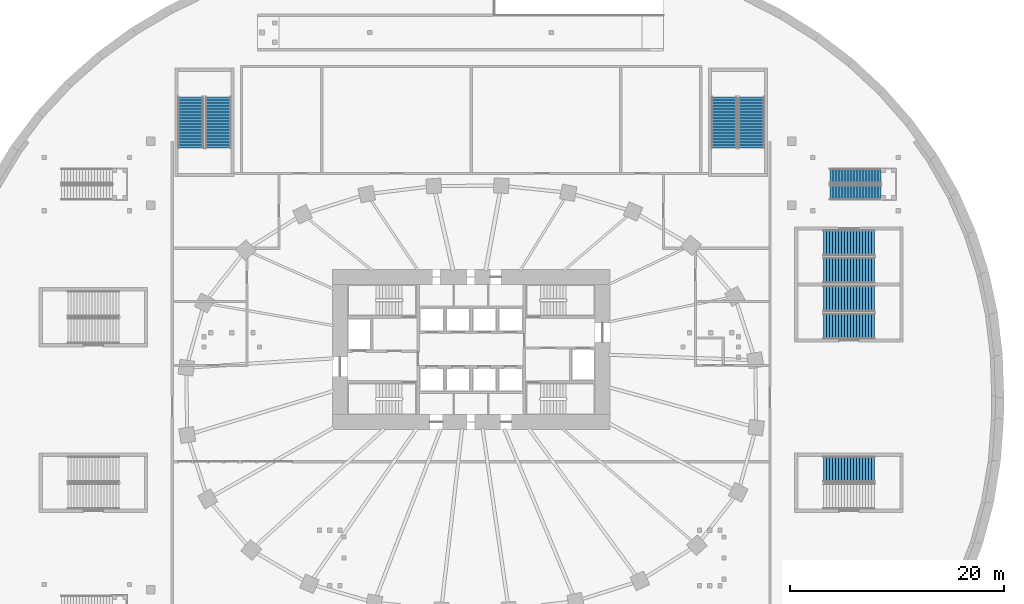
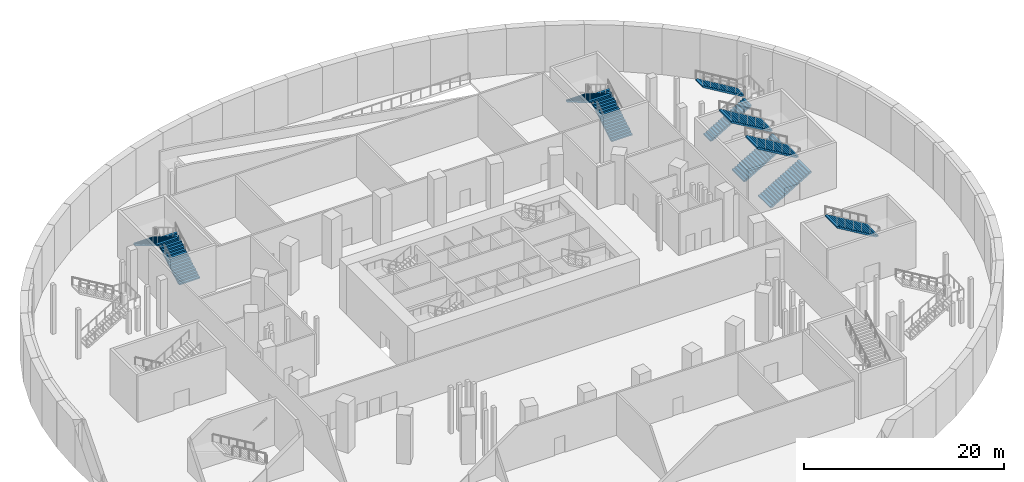
# One storey, part 11 of 19: 11 stair flights, 6 elements without a shape of their own.
"""IFC4 building model written with IfcOpenShell, lengths in metres."""

from ifc_helpers import new_model, si_unit, direction, frame, origin, place, context, subcontext, project, spatial, polyline, outline, extrude, material, type_object, element, aggregate, save


model = new_model("IFC4")

# Units and contexts
model_context = context("Model", 3, precision=1e-05, world=origin(), true_north=direction((0.0, 1.0)))
body_context = subcontext(model_context, "Body", "Model", "MODEL_VIEW")
ifc_project = project(units=[si_unit("LENGTHUNIT", "METRE"), si_unit("AREAUNIT", "SQUARE_METRE"), si_unit("VOLUMEUNIT", "CUBIC_METRE"), si_unit("PLANEANGLEUNIT", "RADIAN"), si_unit("MASSUNIT", "GRAM", prefix="KILO")], contexts=[model_context])

# Site, building, storey
site_placement = place(None, origin())
site = spatial("IfcSite", under=ifc_project, at=site_placement, CompositionType="ELEMENT")
building_placement = place(site_placement, origin())
building = spatial("IfcBuilding", under=site, at=building_placement, Name="Rubra Terraces Tower", CompositionType="ELEMENT")
storey_placement = place(building_placement, frame((0.0, 0.0, -6.0)))
storey = spatial("IfcBuildingStorey", under=building, at=storey_placement, Name="B1", CompositionType="ELEMENT", Elevation=-6.0)

# Stair, stair flights
ifc_material_1 = material(Name="Concrete C40/50", Category="concrete")
stair_type_1 = type_object("IfcStairType", Name="Exit stair", PredefinedType="HALF_TURN_STAIR", material=ifc_material_1)
stair_1_placement = place(storey_placement, origin())
stair_1 = element("IfcStair", 1, at=stair_1_placement, inside=storey, type_object=stair_type_1, Name="B1 exit stair SE1", PredefinedType="HALF_TURN_STAIR")
stair_flight_type_1 = type_object("IfcStairFlightType", Name="Exit stair flight 2400", PredefinedType="STRAIGHT", material=ifc_material_1)
stair_flight_1_placement = place(storey_placement, frame((33.0, 6.699951171875, 0.0), z_axis=(0.0, 0.0, 1.0), x_axis=(1.0, 0.0, 0.0)))
stair_flight_1 = element("IfcStairFlight", 2, at=stair_flight_1_placement, type_object=stair_flight_type_1, Name="SE1 flight 1", NumberOfRisers=18, NumberOfTreads=17, PredefinedType="STRAIGHT", RiserHeight=0.166666667, TreadLength=0.28, context=body_context, shape_type="SweptSolid", body=[
    extrude(outline(polyline([(0.0, 0.0), (0.0, 0.166748046875), (0.280029296875, 0.166748046875), (0.280029296875, 0.333251953125), (0.56005859375, 0.333251953125), (0.56005859375, 0.5), (0.840087890625, 0.5), (0.840087890625, 0.666748046875), (1.1201171875, 0.666748046875), (1.1201171875, 0.833251953125), (1.39990234375, 0.833251953125), (1.39990234375, 1.0), (1.679931640625, 1.0), (1.679931640625, 1.166748046875), (1.9599609375, 1.166748046875), (1.9599609375, 1.333251953125), (2.239990234375, 1.333251953125), (2.239990234375, 1.5), (2.52001953125, 1.5), (2.52001953125, 1.666748046875), (2.800048828125, 1.666748046875), (2.800048828125, 1.833251953125), (3.080078125, 1.833251953125), (3.080078125, 2.0), (3.360107421875, 2.0), (3.360107421875, 2.166748046875), (3.639892578125, 2.166748046875), (3.639892578125, 2.333251953125), (3.919921875, 2.333251953125), (3.919921875, 2.5), (4.199951171875, 2.5), (4.199951171875, 2.666748046875), (4.47998046875, 2.666748046875), (4.47998046875, 2.833251953125), (4.760009765625, 2.833251953125), (4.760009765625, 3.0), (4.760009765625, 2.658935546875), (0.29296875, 0.0), (0.0, 0.0)])), frame((0.0, 1.199951171875, 0.0), z_axis=(0.0, -1.0, 0.0), x_axis=(1.0, 0.0, 0.0)), (0.0, 0.0, 1.0), 2.39990234375),
])
stair_flight_2_placement = place(storey_placement, frame((37.760009765625, 9.25, 3.0), z_axis=(0.0, 0.0, 1.0), x_axis=(-1.0, 0.0, 0.0)))
stair_flight_2 = element("IfcStairFlight", 3, at=stair_flight_2_placement, type_object=stair_flight_type_1, Name="SE1 flight 2", NumberOfRisers=18, NumberOfTreads=17, PredefinedType="STRAIGHT", RiserHeight=0.166666667, TreadLength=0.28, context=body_context, shape_type="SweptSolid", body=[
    extrude(outline(polyline([(0.0, 0.0), (0.0, 0.166748046875), (0.280029296875, 0.166748046875), (0.280029296875, 0.333251953125), (0.56005859375, 0.333251953125), (0.56005859375, 0.5), (0.840087890625, 0.5), (0.840087890625, 0.666748046875), (1.1201171875, 0.666748046875), (1.1201171875, 0.833251953125), (1.39990234375, 0.833251953125), (1.39990234375, 1.0), (1.679931640625, 1.0), (1.679931640625, 1.166748046875), (1.9599609375, 1.166748046875), (1.9599609375, 1.333251953125), (2.239990234375, 1.333251953125), (2.239990234375, 1.5), (2.52001953125, 1.5), (2.52001953125, 1.666748046875), (2.800048828125, 1.666748046875), (2.800048828125, 1.833251953125), (3.080078125, 1.833251953125), (3.080078125, 2.0), (3.360107421875, 2.0), (3.360107421875, 2.166748046875), (3.639892578125, 2.166748046875), (3.639892578125, 2.333251953125), (3.919921875, 2.333251953125), (3.919921875, 2.5), (4.199951171875, 2.5), (4.199951171875, 2.666748046875), (4.47998046875, 2.666748046875), (4.47998046875, 2.833251953125), (4.760009765625, 2.833251953125), (4.760009765625, 3.0), (4.760009765625, 2.658935546875), (0.29296875, 0.0), (0.0, 0.0)])), frame((0.0, 1.199951171875, 0.0), z_axis=(0.0, -1.0, 0.0), x_axis=(1.0, 0.0, 0.0)), (0.0, 0.0, 1.0), 2.39990234375),
])
aggregate(stair_1, [stair_flight_1, stair_flight_2])

# Stair, stair flight
stair_2_placement = place(storey_placement, origin())
stair_2 = element("IfcStair", 4, at=stair_2_placement, inside=storey, type_object=stair_type_1, Name="B1 exit stair SE2", PredefinedType="HALF_TURN_STAIR")
stair_flight_3_placement = place(storey_placement, frame((37.760009765625, -6.699951171875, 3.0), z_axis=(0.0, 0.0, 1.0), x_axis=(-1.0, 0.0, 0.0)))
stair_flight_3 = element("IfcStairFlight", 5, at=stair_flight_3_placement, type_object=stair_flight_type_1, Name="SE2 flight 2", NumberOfRisers=18, NumberOfTreads=17, PredefinedType="STRAIGHT", RiserHeight=0.166666667, TreadLength=0.28, context=body_context, shape_type="SweptSolid", body=[
    extrude(outline(polyline([(0.0, 0.0), (0.0, 0.166748046875), (0.280029296875, 0.166748046875), (0.280029296875, 0.333251953125), (0.56005859375, 0.333251953125), (0.56005859375, 0.5), (0.840087890625, 0.5), (0.840087890625, 0.666748046875), (1.1201171875, 0.666748046875), (1.1201171875, 0.833251953125), (1.39990234375, 0.833251953125), (1.39990234375, 1.0), (1.679931640625, 1.0), (1.679931640625, 1.166748046875), (1.9599609375, 1.166748046875), (1.9599609375, 1.333251953125), (2.239990234375, 1.333251953125), (2.239990234375, 1.5), (2.52001953125, 1.5), (2.52001953125, 1.666748046875), (2.800048828125, 1.666748046875), (2.800048828125, 1.833251953125), (3.080078125, 1.833251953125), (3.080078125, 2.0), (3.360107421875, 2.0), (3.360107421875, 2.166748046875), (3.639892578125, 2.166748046875), (3.639892578125, 2.333251953125), (3.919921875, 2.333251953125), (3.919921875, 2.5), (4.199951171875, 2.5), (4.199951171875, 2.666748046875), (4.47998046875, 2.666748046875), (4.47998046875, 2.833251953125), (4.760009765625, 2.833251953125), (4.760009765625, 3.0), (4.760009765625, 2.658935546875), (0.29296875, 0.0), (0.0, 0.0)])), frame((0.0, 1.199951171875, 0.0), z_axis=(0.0, -1.0, 0.0), x_axis=(1.0, 0.0, 0.0)), (0.0, 0.0, 1.0), 2.39990234375),
])
aggregate(stair_2, [stair_flight_3])

# Stair, stair flights
stair_3_placement = place(storey_placement, origin())
stair_3 = element("IfcStair", 6, at=stair_3_placement, inside=storey, type_object=stair_type_1, Name="B1 exit stair SE5", PredefinedType="HALF_TURN_STAIR")
stair_flight_4_placement = place(storey_placement, frame((-23.699951171875, 23.39990234375, 0.0), z_axis=(0.0, 0.0, 1.0), x_axis=(0.0, 1.0, 0.0)))
stair_flight_4 = element("IfcStairFlight", 7, at=stair_flight_4_placement, type_object=stair_flight_type_1, Name="SE5 flight 1", NumberOfRisers=18, NumberOfTreads=17, PredefinedType="STRAIGHT", RiserHeight=0.166666667, TreadLength=0.28, context=body_context, shape_type="SweptSolid", body=[
    extrude(outline(polyline([(0.0, 0.0), (0.0, 0.166748046875), (0.280029296875, 0.166748046875), (0.280029296875, 0.333251953125), (0.56005859375, 0.333251953125), (0.56005859375, 0.5), (0.840087890625, 0.5), (0.840087890625, 0.666748046875), (1.1201171875, 0.666748046875), (1.1201171875, 0.833251953125), (1.39990234375, 0.833251953125), (1.39990234375, 1.0), (1.679931640625, 1.0), (1.679931640625, 1.166748046875), (1.9599609375, 1.166748046875), (1.9599609375, 1.333251953125), (2.239990234375, 1.333251953125), (2.239990234375, 1.5), (2.52001953125, 1.5), (2.52001953125, 1.666748046875), (2.800048828125, 1.666748046875), (2.800048828125, 1.833251953125), (3.080078125, 1.833251953125), (3.080078125, 2.0), (3.360107421875, 2.0), (3.360107421875, 2.166748046875), (3.639892578125, 2.166748046875), (3.639892578125, 2.333251953125), (3.919921875, 2.333251953125), (3.919921875, 2.5), (4.199951171875, 2.5), (4.199951171875, 2.666748046875), (4.47998046875, 2.666748046875), (4.47998046875, 2.833251953125), (4.760009765625, 2.833251953125), (4.760009765625, 3.0), (4.760009765625, 2.658935546875), (0.29296875, 0.0), (0.0, 0.0)])), frame((0.0, 1.199951171875, 0.0), z_axis=(0.0, -1.0, 0.0), x_axis=(1.0, 0.0, 0.0)), (0.0, 0.0, 1.0), 2.39990234375),
])
stair_flight_5_placement = place(storey_placement, frame((-26.25, 28.159912109375, 3.0), z_axis=(0.0, 0.0, 1.0), x_axis=(0.0, -1.0, 0.0)))
stair_flight_5 = element("IfcStairFlight", 8, at=stair_flight_5_placement, type_object=stair_flight_type_1, Name="SE5 flight 2", NumberOfRisers=18, NumberOfTreads=17, PredefinedType="STRAIGHT", RiserHeight=0.166666667, TreadLength=0.28, context=body_context, shape_type="SweptSolid", body=[
    extrude(outline(polyline([(0.0, 0.0), (0.0, 0.166748046875), (0.280029296875, 0.166748046875), (0.280029296875, 0.333251953125), (0.56005859375, 0.333251953125), (0.56005859375, 0.5), (0.840087890625, 0.5), (0.840087890625, 0.666748046875), (1.1201171875, 0.666748046875), (1.1201171875, 0.833251953125), (1.39990234375, 0.833251953125), (1.39990234375, 1.0), (1.679931640625, 1.0), (1.679931640625, 1.166748046875), (1.9599609375, 1.166748046875), (1.9599609375, 1.333251953125), (2.239990234375, 1.333251953125), (2.239990234375, 1.5), (2.52001953125, 1.5), (2.52001953125, 1.666748046875), (2.800048828125, 1.666748046875), (2.800048828125, 1.833251953125), (3.080078125, 1.833251953125), (3.080078125, 2.0), (3.360107421875, 2.0), (3.360107421875, 2.166748046875), (3.639892578125, 2.166748046875), (3.639892578125, 2.333251953125), (3.919921875, 2.333251953125), (3.919921875, 2.5), (4.199951171875, 2.5), (4.199951171875, 2.666748046875), (4.47998046875, 2.666748046875), (4.47998046875, 2.833251953125), (4.760009765625, 2.833251953125), (4.760009765625, 3.0), (4.760009765625, 2.658935546875), (0.29296875, 0.0), (0.0, 0.0)])), frame((0.0, 1.199951171875, 0.0), z_axis=(0.0, -1.0, 0.0), x_axis=(1.0, 0.0, 0.0)), (0.0, 0.0, 1.0), 2.39990234375),
])
aggregate(stair_3, [stair_flight_4, stair_flight_5])

stair_4_placement = place(storey_placement, origin())
stair_4 = element("IfcStair", 9, at=stair_4_placement, inside=storey, type_object=stair_type_1, Name="B1 exit stair SE6", PredefinedType="HALF_TURN_STAIR")
stair_flight_6_placement = place(storey_placement, frame((26.25, 23.39990234375, 0.0), z_axis=(0.0, 0.0, 1.0), x_axis=(0.0, 1.0, 0.0)))
stair_flight_6 = element("IfcStairFlight", 10, at=stair_flight_6_placement, type_object=stair_flight_type_1, Name="SE6 flight 1", NumberOfRisers=18, NumberOfTreads=17, PredefinedType="STRAIGHT", RiserHeight=0.166666667, TreadLength=0.28, context=body_context, shape_type="SweptSolid", body=[
    extrude(outline(polyline([(0.0, 0.0), (0.0, 0.166748046875), (0.280029296875, 0.166748046875), (0.280029296875, 0.333251953125), (0.56005859375, 0.333251953125), (0.56005859375, 0.5), (0.840087890625, 0.5), (0.840087890625, 0.666748046875), (1.1201171875, 0.666748046875), (1.1201171875, 0.833251953125), (1.39990234375, 0.833251953125), (1.39990234375, 1.0), (1.679931640625, 1.0), (1.679931640625, 1.166748046875), (1.9599609375, 1.166748046875), (1.9599609375, 1.333251953125), (2.239990234375, 1.333251953125), (2.239990234375, 1.5), (2.52001953125, 1.5), (2.52001953125, 1.666748046875), (2.800048828125, 1.666748046875), (2.800048828125, 1.833251953125), (3.080078125, 1.833251953125), (3.080078125, 2.0), (3.360107421875, 2.0), (3.360107421875, 2.166748046875), (3.639892578125, 2.166748046875), (3.639892578125, 2.333251953125), (3.919921875, 2.333251953125), (3.919921875, 2.5), (4.199951171875, 2.5), (4.199951171875, 2.666748046875), (4.47998046875, 2.666748046875), (4.47998046875, 2.833251953125), (4.760009765625, 2.833251953125), (4.760009765625, 3.0), (4.760009765625, 2.658935546875), (0.29296875, 0.0), (0.0, 0.0)])), frame((0.0, 1.199951171875, 0.0), z_axis=(0.0, -1.0, 0.0), x_axis=(1.0, 0.0, 0.0)), (0.0, 0.0, 1.0), 2.39990234375),
])
stair_flight_7_placement = place(storey_placement, frame((23.699951171875, 28.159912109375, 3.0), z_axis=(0.0, 0.0, 1.0), x_axis=(0.0, -1.0, 0.0)))
stair_flight_7 = element("IfcStairFlight", 11, at=stair_flight_7_placement, type_object=stair_flight_type_1, Name="SE6 flight 2", NumberOfRisers=18, NumberOfTreads=17, PredefinedType="STRAIGHT", RiserHeight=0.166666667, TreadLength=0.28, context=body_context, shape_type="SweptSolid", body=[
    extrude(outline(polyline([(0.0, 0.0), (0.0, 0.166748046875), (0.280029296875, 0.166748046875), (0.280029296875, 0.333251953125), (0.56005859375, 0.333251953125), (0.56005859375, 0.5), (0.840087890625, 0.5), (0.840087890625, 0.666748046875), (1.1201171875, 0.666748046875), (1.1201171875, 0.833251953125), (1.39990234375, 0.833251953125), (1.39990234375, 1.0), (1.679931640625, 1.0), (1.679931640625, 1.166748046875), (1.9599609375, 1.166748046875), (1.9599609375, 1.333251953125), (2.239990234375, 1.333251953125), (2.239990234375, 1.5), (2.52001953125, 1.5), (2.52001953125, 1.666748046875), (2.800048828125, 1.666748046875), (2.800048828125, 1.833251953125), (3.080078125, 1.833251953125), (3.080078125, 2.0), (3.360107421875, 2.0), (3.360107421875, 2.166748046875), (3.639892578125, 2.166748046875), (3.639892578125, 2.333251953125), (3.919921875, 2.333251953125), (3.919921875, 2.5), (4.199951171875, 2.5), (4.199951171875, 2.666748046875), (4.47998046875, 2.666748046875), (4.47998046875, 2.833251953125), (4.760009765625, 2.833251953125), (4.760009765625, 3.0), (4.760009765625, 2.658935546875), (0.29296875, 0.0), (0.0, 0.0)])), frame((0.0, 1.199951171875, 0.0), z_axis=(0.0, -1.0, 0.0), x_axis=(1.0, 0.0, 0.0)), (0.0, 0.0, 1.0), 2.39990234375),
])
aggregate(stair_4, [stair_flight_6, stair_flight_7])

stair_5_placement = place(storey_placement, origin())
stair_5 = element("IfcStair", 12, at=stair_5_placement, inside=storey, type_object=stair_type_1, Name="B1 exit stair SE9", PredefinedType="HALF_TURN_STAIR")
stair_flight_8_placement = place(storey_placement, frame((33.0, 11.949951171875, 0.0), z_axis=(0.0, 0.0, 1.0), x_axis=(1.0, 0.0, 0.0)))
stair_flight_8 = element("IfcStairFlight", 13, at=stair_flight_8_placement, type_object=stair_flight_type_1, Name="SE9 flight 1", NumberOfRisers=18, NumberOfTreads=17, PredefinedType="STRAIGHT", RiserHeight=0.166666667, TreadLength=0.28, context=body_context, shape_type="SweptSolid", body=[
    extrude(outline(polyline([(0.0, 0.0), (0.0, 0.166748046875), (0.280029296875, 0.166748046875), (0.280029296875, 0.333251953125), (0.56005859375, 0.333251953125), (0.56005859375, 0.5), (0.840087890625, 0.5), (0.840087890625, 0.666748046875), (1.1201171875, 0.666748046875), (1.1201171875, 0.833251953125), (1.39990234375, 0.833251953125), (1.39990234375, 1.0), (1.679931640625, 1.0), (1.679931640625, 1.166748046875), (1.9599609375, 1.166748046875), (1.9599609375, 1.333251953125), (2.239990234375, 1.333251953125), (2.239990234375, 1.5), (2.52001953125, 1.5), (2.52001953125, 1.666748046875), (2.800048828125, 1.666748046875), (2.800048828125, 1.833251953125), (3.080078125, 1.833251953125), (3.080078125, 2.0), (3.360107421875, 2.0), (3.360107421875, 2.166748046875), (3.639892578125, 2.166748046875), (3.639892578125, 2.333251953125), (3.919921875, 2.333251953125), (3.919921875, 2.5), (4.199951171875, 2.5), (4.199951171875, 2.666748046875), (4.47998046875, 2.666748046875), (4.47998046875, 2.833251953125), (4.760009765625, 2.833251953125), (4.760009765625, 3.0), (4.760009765625, 2.658935546875), (0.29296875, 0.0), (0.0, 0.0)])), frame((0.0, 1.199951171875, 0.0), z_axis=(0.0, -1.0, 0.0), x_axis=(1.0, 0.0, 0.0)), (0.0, 0.0, 1.0), 2.39990234375),
])
stair_flight_9_placement = place(storey_placement, frame((37.760009765625, 14.5, 3.0), z_axis=(0.0, 0.0, 1.0), x_axis=(-1.0, 0.0, 0.0)))
stair_flight_9 = element("IfcStairFlight", 14, at=stair_flight_9_placement, type_object=stair_flight_type_1, Name="SE9 flight 2", NumberOfRisers=18, NumberOfTreads=17, PredefinedType="STRAIGHT", RiserHeight=0.166666667, TreadLength=0.28, context=body_context, shape_type="SweptSolid", body=[
    extrude(outline(polyline([(0.0, 0.0), (0.0, 0.166748046875), (0.280029296875, 0.166748046875), (0.280029296875, 0.333251953125), (0.56005859375, 0.333251953125), (0.56005859375, 0.5), (0.840087890625, 0.5), (0.840087890625, 0.666748046875), (1.1201171875, 0.666748046875), (1.1201171875, 0.833251953125), (1.39990234375, 0.833251953125), (1.39990234375, 1.0), (1.679931640625, 1.0), (1.679931640625, 1.166748046875), (1.9599609375, 1.166748046875), (1.9599609375, 1.333251953125), (2.239990234375, 1.333251953125), (2.239990234375, 1.5), (2.52001953125, 1.5), (2.52001953125, 1.666748046875), (2.800048828125, 1.666748046875), (2.800048828125, 1.833251953125), (3.080078125, 1.833251953125), (3.080078125, 2.0), (3.360107421875, 2.0), (3.360107421875, 2.166748046875), (3.639892578125, 2.166748046875), (3.639892578125, 2.333251953125), (3.919921875, 2.333251953125), (3.919921875, 2.5), (4.199951171875, 2.5), (4.199951171875, 2.666748046875), (4.47998046875, 2.666748046875), (4.47998046875, 2.833251953125), (4.760009765625, 2.833251953125), (4.760009765625, 3.0), (4.760009765625, 2.658935546875), (0.29296875, 0.0), (0.0, 0.0)])), frame((0.0, 1.199951171875, 0.0), z_axis=(0.0, -1.0, 0.0), x_axis=(1.0, 0.0, 0.0)), (0.0, 0.0, 1.0), 2.39990234375),
])
aggregate(stair_5, [stair_flight_8, stair_flight_9])

ifc_material_2 = material(Name="Concrete C35/45", Category="concrete")
stair_type_2 = type_object("IfcStairType", Name="Station stair", PredefinedType="HALF_TURN_STAIR", material=ifc_material_2)
stair_6_placement = place(storey_placement, origin())
stair_6 = element("IfcStair", 15, at=stair_6_placement, inside=storey, type_object=stair_type_2, Name="B1 SP1-S", PredefinedType="HALF_TURN_STAIR")
stair_flight_type_2 = type_object("IfcStairFlightType", Name="Station stair flight 1200", PredefinedType="STRAIGHT", material=ifc_material_2)
stair_flight_10_placement = place(storey_placement, frame((33.6201171875, 19.22509765625, 0.0), z_axis=(0.0, 0.0, 1.0), x_axis=(1.0, 0.0, 0.0)))
stair_flight_10 = element("IfcStairFlight", 16, at=stair_flight_10_placement, type_object=stair_flight_type_2, Name="SP1-S flight 1", NumberOfRisers=18, NumberOfTreads=17, PredefinedType="STRAIGHT", RiserHeight=0.166666667, TreadLength=0.28, context=body_context, shape_type="SweptSolid", body=[
    extrude(outline(polyline([(0.0, 0.0), (0.0, 0.166748046875), (0.280029296875, 0.166748046875), (0.280029296875, 0.333251953125), (0.56005859375, 0.333251953125), (0.56005859375, 0.5), (0.840087890625, 0.5), (0.840087890625, 0.666748046875), (1.1201171875, 0.666748046875), (1.1201171875, 0.833251953125), (1.39990234375, 0.833251953125), (1.39990234375, 1.0), (1.679931640625, 1.0), (1.679931640625, 1.166748046875), (1.9599609375, 1.166748046875), (1.9599609375, 1.333251953125), (2.239990234375, 1.333251953125), (2.239990234375, 1.5), (2.52001953125, 1.5), (2.52001953125, 1.666748046875), (2.800048828125, 1.666748046875), (2.800048828125, 1.833251953125), (3.080078125, 1.833251953125), (3.080078125, 2.0), (3.360107421875, 2.0), (3.360107421875, 2.166748046875), (3.639892578125, 2.166748046875), (3.639892578125, 2.333251953125), (3.919921875, 2.333251953125), (3.919921875, 2.5), (4.199951171875, 2.5), (4.199951171875, 2.666748046875), (4.47998046875, 2.666748046875), (4.47998046875, 2.833251953125), (4.760009765625, 2.833251953125), (4.760009765625, 3.0), (4.760009765625, 2.658935546875), (0.29296875, 0.0), (0.0, 0.0)])), frame((0.0, 0.699951171875, 0.0), z_axis=(0.0, -1.0, 0.0), x_axis=(1.0, 0.0, 0.0)), (0.0, 0.0, 1.0), 1.39990234375),
])
stair_flight_11_placement = place(storey_placement, frame((38.3798828125, 20.77490234375, 3.0), z_axis=(0.0, 0.0, 1.0), x_axis=(-1.0, 0.0, 0.0)))
stair_flight_11 = element("IfcStairFlight", 17, at=stair_flight_11_placement, type_object=stair_flight_type_2, Name="SP1-S flight 2", NumberOfRisers=18, NumberOfTreads=17, PredefinedType="STRAIGHT", RiserHeight=0.166666667, TreadLength=0.28, context=body_context, shape_type="SweptSolid", body=[
    extrude(outline(polyline([(0.0, 0.0), (0.0, 0.166748046875), (0.280029296875, 0.166748046875), (0.280029296875, 0.333251953125), (0.56005859375, 0.333251953125), (0.56005859375, 0.5), (0.840087890625, 0.5), (0.840087890625, 0.666748046875), (1.1201171875, 0.666748046875), (1.1201171875, 0.833251953125), (1.39990234375, 0.833251953125), (1.39990234375, 1.0), (1.679931640625, 1.0), (1.679931640625, 1.166748046875), (1.9599609375, 1.166748046875), (1.9599609375, 1.333251953125), (2.239990234375, 1.333251953125), (2.239990234375, 1.5), (2.52001953125, 1.5), (2.52001953125, 1.666748046875), (2.800048828125, 1.666748046875), (2.800048828125, 1.833251953125), (3.080078125, 1.833251953125), (3.080078125, 2.0), (3.360107421875, 2.0), (3.360107421875, 2.166748046875), (3.639892578125, 2.166748046875), (3.639892578125, 2.333251953125), (3.919921875, 2.333251953125), (3.919921875, 2.5), (4.199951171875, 2.5), (4.199951171875, 2.666748046875), (4.47998046875, 2.666748046875), (4.47998046875, 2.833251953125), (4.760009765625, 2.833251953125), (4.760009765625, 3.0), (4.760009765625, 2.658935546875), (0.29296875, 0.0), (0.0, 0.0)])), frame((0.0, 0.699951171875, 0.0), z_axis=(0.0, -1.0, 0.0), x_axis=(1.0, 0.0, 0.0)), (0.0, 0.0, 1.0), 1.39990234375),
])
aggregate(stair_6, [stair_flight_10, stair_flight_11])

save(model, "model.ifc")
